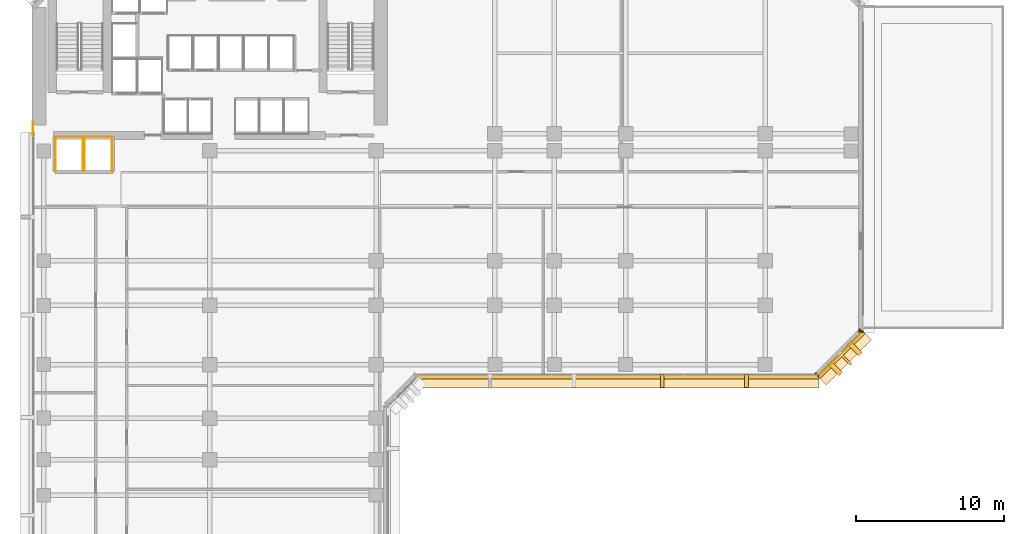
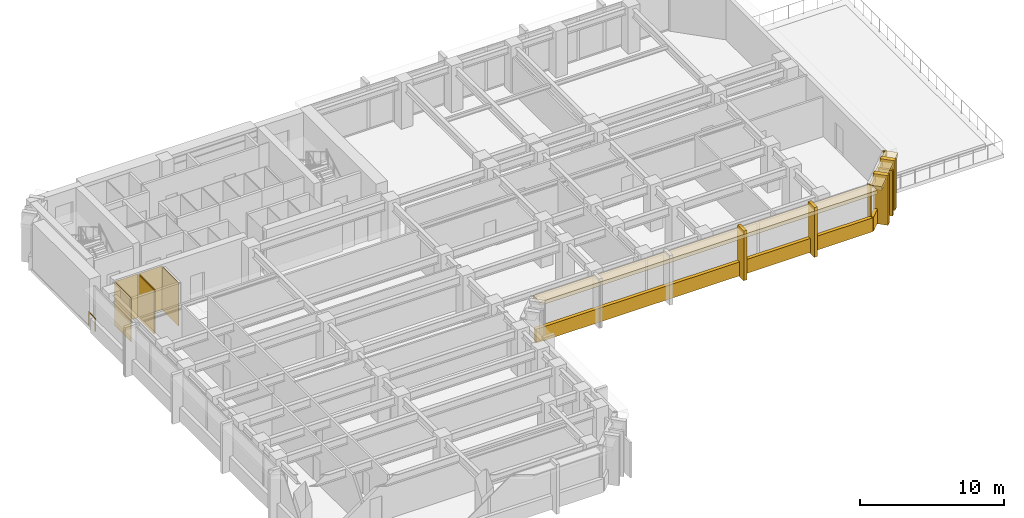
# One storey, part 10 of 13: 18 coverings, 1 railing, 1 shading device.
"""IFC4 building model written with IfcOpenShell, lengths in metres."""

import ifcopenshell
import ifcopenshell.guid

model = None  # the IFC model being written
_history = None  # IfcOwnerHistory: only IFC2X3 demands one
_inside = {}  # id of a spatial element -> (the spatial element, [elements in it])
_under = {}  # id of a project, library or spatial element -> (it, [spatial elements below it])
_declared = {}  # id of a project -> (the project, [libraries it declares])
_typed = {}  # id of a type object -> (the type object, [elements of that type])
_made_of = {}  # id of a material, layer set ... -> (it, [elements and type objects made of it])


def new_model(schema):
    """Start an empty IFC model of exactly this schema.

    Asked for "IFC4X3", IfcOpenShell would pick the latest addendum, in which some entities
    have other attributes; the version numbers below select the first issue.
    IFC2X3 requires an IfcOwnerHistory on every rooted entity: one is made here for all.
    """
    global model, _history
    if schema == "IFC4X3":
        model = ifcopenshell.file(schema_version=(4, 3, 0, 0))
    else:
        model = ifcopenshell.file(schema=schema)
    _inside.clear()
    _under.clear()
    _declared.clear()
    _typed.clear()
    _made_of.clear()
    _history = None
    if model.schema == "IFC2X3":
        org = make("IfcOrganization", Name="unknown")
        user = make(
            "IfcPersonAndOrganization",
            ThePerson=make("IfcPerson", FamilyName="unknown"),
            TheOrganization=org,
        )
        app = make(
            "IfcApplication",
            ApplicationDeveloper=org,
            Version="unknown",
            ApplicationFullName="unknown",
            ApplicationIdentifier="unknown",
        )
        _history = make(
            "IfcOwnerHistory",
            OwningUser=user,
            OwningApplication=app,
            ChangeAction="ADDED",
            CreationDate=0,
        )
    return model


def make(cls, **values):
    """One entity of the class cls with the attributes given. An attribute that is None is left unset."""
    return model.create_entity(
        cls, **{name: value for name, value in values.items() if value is not None}
    )


def rooted(cls, **values):
    """An entity with a GlobalId (a new one), such as an element, a storey or a relation."""
    return make(cls, GlobalId=ifcopenshell.guid.new(), OwnerHistory=_history, **values)


def si_unit(unit_type, name, prefix=None):
    """IfcSIUnit, for example si_unit("LENGTHUNIT", "METRE", prefix="MILLI")."""
    return make("IfcSIUnit", UnitType=unit_type, Prefix=prefix, Name=name)


def assignment(units):
    """IfcUnitAssignment: the units of a project."""
    return None if units is None else make("IfcUnitAssignment", Units=units)


def point(xyz):
    """IfcCartesianPoint."""
    return None if xyz is None else make("IfcCartesianPoint", Coordinates=xyz)


def direction(xyz):
    """IfcDirection."""
    return None if xyz is None else make("IfcDirection", DirectionRatios=xyz)


def frame(location, z_axis=None, x_axis=None):
    """IfcAxis2Placement3D, a coordinate frame: its origin and axes. An axis left out is left unset."""
    return make(
        "IfcAxis2Placement3D",
        Location=point(location),
        Axis=direction(z_axis),
        RefDirection=direction(x_axis),
    )


def frame_2d(location, x_axis=None):
    """IfcAxis2Placement2D, a coordinate frame in the plane: its origin and x axis."""
    return make(
        "IfcAxis2Placement2D", Location=point(location), RefDirection=direction(x_axis)
    )


def origin():
    """The frame at (0, 0, 0) with its axes left unset."""
    return frame((0.0, 0.0, 0.0))


def origin_2d():
    """The frame at (0, 0) in the plane with its x axis left unset."""
    return frame_2d((0.0, 0.0))


def place(relative_to, where):
    """IfcLocalPlacement: puts the frame where relative to a parent placement (None: the world)."""
    return make(
        "IfcLocalPlacement", PlacementRelTo=relative_to, RelativePlacement=where
    )


def context(
    kind, dimensions, precision=None, world=None, true_north=None, identifier=None
):
    """IfcGeometricRepresentationContext, for example the 3D "Model" context."""
    return make(
        "IfcGeometricRepresentationContext",
        ContextIdentifier=identifier,
        ContextType=kind,
        CoordinateSpaceDimension=dimensions,
        Precision=precision,
        WorldCoordinateSystem=world,
        TrueNorth=true_north,
    )


def subcontext(parent, identifier, kind, view, scale=None):
    """IfcGeometricRepresentationSubContext, for example "Body" below "Model"."""
    return make(
        "IfcGeometricRepresentationSubContext",
        ContextIdentifier=identifier,
        ContextType=kind,
        ParentContext=parent,
        TargetScale=scale,
        TargetView=view,
    )


def project(units=None, contexts=None):
    """IfcProject with its units and contexts."""
    return rooted(
        "IfcProject",
        Name="project",
        RepresentationContexts=contexts,
        UnitsInContext=assignment(units),
    )


def spatial(cls, under=None, at=None, **own):
    """A site, building, storey or space (cls), placed at a placement, below another one or the project."""
    s = rooted(cls, ObjectPlacement=at, **own)
    if under is not None:
        _under.setdefault(under.id(), (under, []))[1].append(s)
    return s


def polyline(points):
    """IfcPolyline through the points."""
    return make("IfcPolyline", Points=[point(p) for p in points])


def profile(cls, at=None, kind="AREA", **sizes):
    """A parametric profile (cls). Its sizes go by their IFC names, for example OverallWidth=200.0."""
    return make(cls, ProfileType=kind, Position=at, **sizes)


def rectangle(**sizes):
    """IfcRectangleProfileDef."""
    return profile("IfcRectangleProfileDef", **sizes)


def circle(**sizes):
    """IfcCircleProfileDef."""
    return profile("IfcCircleProfileDef", **sizes)


def outline(outer, holes=None, kind="AREA"):
    """IfcArbitraryClosedProfileDef: a profile drawn as a closed curve; with holes, ...WithVoids."""
    if holes is None:
        return make("IfcArbitraryClosedProfileDef", ProfileType=kind, OuterCurve=outer)
    return make(
        "IfcArbitraryProfileDefWithVoids",
        ProfileType=kind,
        OuterCurve=outer,
        InnerCurves=holes,
    )


def extrude(swept, where, along, depth):
    """IfcExtrudedAreaSolid: the profile swept, set in the frame where, extruded along a direction by depth."""
    return make(
        "IfcExtrudedAreaSolid",
        SweptArea=swept,
        Position=where,
        ExtrudedDirection=direction(along),
        Depth=depth,
    )


def shape(context_of_items, identifier, shape_type, items):
    """IfcShapeRepresentation: the items that make up one representation, for example the "Body"."""
    return make(
        "IfcShapeRepresentation",
        ContextOfItems=context_of_items,
        RepresentationIdentifier=identifier,
        RepresentationType=shape_type,
        Items=items,
    )


def material(Name=None, Category=None):
    """IfcMaterial."""
    return make("IfcMaterial", Name=Name, Category=Category)


def layer(
    of_material, thickness, ventilated=None, Name=None, Category=None, Priority=None
):
    """IfcMaterialLayer: one layer of a wall or slab, of a material (None: an air gap)."""
    return make(
        "IfcMaterialLayer",
        Material=of_material,
        LayerThickness=thickness,
        IsVentilated=ventilated,
        Name=Name,
        Category=Category,
        Priority=Priority,
    )


def layer_set(layers, Name=None):
    """IfcMaterialLayerSet."""
    return make("IfcMaterialLayerSet", MaterialLayers=layers, LayerSetName=Name)


def material_profile(
    of_material, cross_section, Name=None, Category=None, Priority=None
):
    """IfcMaterialProfile: a cross section and its material."""
    return make(
        "IfcMaterialProfile",
        Name=Name,
        Material=of_material,
        Profile=cross_section,
        Priority=Priority,
        Category=Category,
    )


def profile_set(profiles, Name=None, composite=None):
    """IfcMaterialProfileSet."""
    return make(
        "IfcMaterialProfileSet",
        Name=Name,
        MaterialProfiles=profiles,
        CompositeProfile=composite,
    )


def made_of(thing, what):
    """Note that an element or type object is made of a material, layer set ...; save() writes the relation."""
    if what is not None:
        _made_of.setdefault(what.id(), (what, []))[1].append(thing)
    return thing


def type_object(cls, material=None, **own):
    """A type object (cls), such as IfcWallType, which elements share."""
    return made_of(rooted(cls, **own), material)


def element(
    cls,
    number,
    at=None,
    inside=None,
    cuts=None,
    type_object=None,
    material=None,
    context=None,
    identifier="Body",
    shape_type=None,
    held_by="IfcProductDefinitionShape",
    body=None,
    shapes=None,
    **own,
):
    """One element of the class cls, such as IfcWall. Its Tag is "e" and its number.

    at: its placement. inside: the storey or other place that contains it. cuts: it is an
    opening in that element (IfcRelVoidsElement). A single representation is given by context,
    identifier, shape_type and body (its items); several are given by shapes. held_by: the class
    of the entity that holds the representations. save() writes the other relations.
    """
    e = rooted(cls, Tag="e%d" % number, ObjectPlacement=at, **own)
    if body is not None:
        shapes = [shape(context, identifier, shape_type, body)]
    if shapes is not None:
        e.Representation = make(held_by, Representations=shapes)
    if inside is not None:
        _inside.setdefault(inside.id(), (inside, []))[1].append(e)
    if cuts is not None:
        rooted(
            "IfcRelVoidsElement", RelatingBuildingElement=cuts, RelatedOpeningElement=e
        )
    if type_object is not None:
        _typed.setdefault(type_object.id(), (type_object, []))[1].append(e)
    return made_of(e, material)


def aggregate(whole, parts):
    """IfcRelAggregates: a whole, such as a stair, and the parts it consists of."""
    return rooted("IfcRelAggregates", RelatingObject=whole, RelatedObjects=parts)


def save(model, path):
    """Write the relations noted so far, then the file.

    IfcRelAggregates (storeys below a building ...), IfcRelContainedInSpatialStructure (elements
    in a storey), IfcRelDefinesByType, IfcRelAssociatesMaterial and IfcRelDeclares: one each for
    every whole, place, type object, material and project.
    """
    for whole, parts in _under.values():
        aggregate(whole, parts)
    for where, things in _inside.values():
        rooted(
            "IfcRelContainedInSpatialStructure",
            RelatedElements=things,
            RelatingStructure=where,
        )
    for kind, things in _typed.values():
        rooted("IfcRelDefinesByType", RelatedObjects=things, RelatingType=kind)
    for what, things in _made_of.values():
        rooted("IfcRelAssociatesMaterial", RelatedObjects=things, RelatingMaterial=what)
    for by, libraries in _declared.values():
        rooted("IfcRelDeclares", RelatingContext=by, RelatedDefinitions=libraries)
    model.write(path)


model = new_model("IFC4")

# Units and contexts
model_context = context("Model", 3, precision=1e-05, world=origin(), true_north=direction((0.0, 1.0)))
body_context = subcontext(model_context, "Body", "Model", "MODEL_VIEW")
ifc_project = project(units=[si_unit("LENGTHUNIT", "METRE"), si_unit("AREAUNIT", "SQUARE_METRE"), si_unit("VOLUMEUNIT", "CUBIC_METRE"), si_unit("PLANEANGLEUNIT", "RADIAN"), si_unit("MASSUNIT", "GRAM", prefix="KILO")], contexts=[model_context])

# Site, building, storey
site_placement = place(None, origin())
site = spatial("IfcSite", under=ifc_project, at=site_placement, CompositionType="ELEMENT")
building_placement = place(site_placement, origin())
building = spatial("IfcBuilding", under=site, at=building_placement, Name="Kefirva Bronze Tower", CompositionType="ELEMENT")
storey_placement = place(building_placement, frame((0.0, 0.0, 30.360107421875)))
storey = spatial("IfcBuildingStorey", under=building, at=storey_placement, Name="L06", CompositionType="ELEMENT", Elevation=30.360107421875)

# Coverings
ifc_material_1 = material(Name="Bronze anodised aluminium", Category="aluminium")
ifc_layer_1 = layer(ifc_material_1, 0.02001953125, Name="Bronze anodised aluminium")
ifc_layer_set_1 = layer_set([ifc_layer_1], Name="Bronze anodised aluminium")
covering_type_1 = type_object("IfcCoveringType", Name="Anodised Bronze Spandrel Cladding 20mm", PredefinedType="CLADDING", material=ifc_layer_set_1)
covering_1_placement = place(storey_placement, frame((39.5, 17.9599609375, -0.16015625), z_axis=(0.0, 0.0, 1.0), x_axis=(1.0, 0.0, 0.0)))
element("IfcCovering", 1, at=covering_1_placement, inside=storey, type_object=covering_type_1, Name="L06 Streamline Horizontal Spandrel Band 4", PredefinedType="CLADDING", context=body_context, shape_type="SweptSolid", body=[
    extrude(rectangle(XDim=27.0400390625, YDim=0.280029296875, at=origin_2d()), origin(), (0.0, 0.0, 1.0), 1.179931640625),
])
covering_2_placement = place(storey_placement, frame((54.507080078125, 19.492919921875, 3.2900390625), z_axis=(0.0, 0.0, 1.0), x_axis=(0.707106781187, 0.707106781187, 0.0)))
element("IfcCovering", 2, at=covering_2_placement, inside=storey, type_object=covering_type_1, Name="L06 Bronze Spandrel Cladding 4", PredefinedType="CLADDING", context=body_context, shape_type="SweptSolid", body=[
    extrude(rectangle(XDim=3.719482421875, YDim=0.02001953125, at=origin_2d()), origin(), (0.0, 0.0, 1.0), 0.39990234375),
])
for number, where, z_axis, x_axis, name in (
    (3, (52.91162109375, 18.137939453125, 0.0), (0.0, 0.0, 1.0), (0.707106781187, 0.707106781187, 0.0), "L06 Facade Joint Closure Panel 4S"),
    (4, (55.862060546875, 21.08837890625, 0.0), (0.0, 0.0, 1.0), (0.707106781187, 0.707106781187, 0.0), "L06 Facade Joint Closure Panel 4E"),
):
    element("IfcCovering", number, at=place(storey_placement, frame(where, z_axis=z_axis, x_axis=x_axis)), inside=storey, type_object=covering_type_1, Name=name, PredefinedType="CLADDING", context=body_context, shape_type="SweptSolid", body=[
        extrude(rectangle(XDim=0.10009765625, YDim=0.320068359375, at=origin_2d()), origin(), (0.0, 0.0, 1.0), 3.7099609375),
    ])
covering_3_placement = place(storey_placement, frame((54.5283203125, 19.4716796875, -0.16015625), z_axis=(0.0, 0.0, 1.0), x_axis=(0.707106781187, 0.707106781187, 0.0)))
element("IfcCovering", 5, at=covering_3_placement, inside=storey, type_object=covering_type_1, Name="L06 Streamline Horizontal Spandrel Band 5", PredefinedType="CLADDING", context=body_context, shape_type="SweptSolid", body=[
    extrude(rectangle(XDim=4.28271484375, YDim=0.280029296875, at=origin_2d()), origin(), (0.0, 0.0, 1.0), 1.179931640625),
])
covering_4_placement = place(storey_placement, frame((55.840087890625, 21.034912109375, 0.0), z_axis=(0.0, 0.0, 1.0), x_axis=(0.0, 1.0, 0.0)))
element("IfcCovering", 6, at=covering_4_placement, inside=storey, type_object=covering_type_1, Name="L06 Facade Joint Closure Panel 5S", PredefinedType="CLADDING", context=body_context, shape_type="SweptSolid", body=[
    extrude(rectangle(XDim=0.10009765625, YDim=0.320068359375, at=origin_2d()), origin(), (0.0, 0.0, 1.0), 3.7099609375),
])
covering_5_placement = place(storey_placement, origin())
element("IfcCovering", 7, at=covering_5_placement, inside=storey, type_object=covering_type_1, Name="L06 Lift OB1 Hoistway Liner N", PredefinedType="CLADDING", context=body_context, shape_type="SweptSolid", body=[
    extrude(outline(polyline([(1.580078125, 34.139892578125), (3.469970703125, 34.139892578125), (3.469970703125, 34.159912109375), (1.580078125, 34.159912109375), (1.580078125, 34.139892578125)])), origin(), (0.0, 0.0, 1.0), 3.7099609375),
])
covering_6_placement = place(storey_placement, origin())
element("IfcCovering", 8, at=covering_6_placement, inside=storey, type_object=covering_type_1, Name="L06 Lift OB1 Hoistway Liner W", PredefinedType="CLADDING", context=body_context, shape_type="SweptSolid", body=[
    extrude(outline(polyline([(1.590087890625, 31.830078125), (1.610107421875, 31.830078125), (1.610107421875, 34.169921875), (1.590087890625, 34.169921875), (1.590087890625, 31.830078125)])), origin(), (0.0, 0.0, 1.0), 3.7099609375),
])
covering_7_placement = place(storey_placement, origin())
element("IfcCovering", 9, at=covering_7_placement, inside=storey, type_object=covering_type_1, Name="L06 Lift OB1 Hoistway Liner E", PredefinedType="CLADDING", context=body_context, shape_type="SweptSolid", body=[
    extrude(outline(polyline([(3.43994140625, 31.830078125), (3.4599609375, 31.830078125), (3.4599609375, 34.169921875), (3.43994140625, 34.169921875), (3.43994140625, 31.830078125)])), origin(), (0.0, 0.0, 1.0), 3.7099609375),
])
covering_8_placement = place(storey_placement, origin())
element("IfcCovering", 10, at=covering_8_placement, inside=storey, type_object=covering_type_1, Name="L06 Lift OB2 Hoistway Liner N", PredefinedType="CLADDING", context=body_context, shape_type="SweptSolid", body=[
    extrude(outline(polyline([(3.530029296875, 34.139892578125), (5.419921875, 34.139892578125), (5.419921875, 34.159912109375), (3.530029296875, 34.159912109375), (3.530029296875, 34.139892578125)])), origin(), (0.0, 0.0, 1.0), 3.7099609375),
])
covering_9_placement = place(storey_placement, origin())
element("IfcCovering", 11, at=covering_9_placement, inside=storey, type_object=covering_type_1, Name="L06 Lift OB2 Hoistway Liner W", PredefinedType="CLADDING", context=body_context, shape_type="SweptSolid", body=[
    extrude(outline(polyline([(3.5400390625, 31.830078125), (3.56005859375, 31.830078125), (3.56005859375, 34.169921875), (3.5400390625, 34.169921875), (3.5400390625, 31.830078125)])), origin(), (0.0, 0.0, 1.0), 3.7099609375),
])
covering_10_placement = place(storey_placement, origin())
element("IfcCovering", 12, at=covering_10_placement, inside=storey, type_object=covering_type_1, Name="L06 Lift OB2 Hoistway Liner E", PredefinedType="CLADDING", context=body_context, shape_type="SweptSolid", body=[
    extrude(outline(polyline([(5.389892578125, 31.830078125), (5.409912109375, 31.830078125), (5.409912109375, 34.169921875), (5.389892578125, 34.169921875), (5.389892578125, 31.830078125)])), origin(), (0.0, 0.0, 1.0), 3.7099609375),
])

# Shading device
ifc_material_profile = material_profile(ifc_material_1, rectangle(XDim=0.179931640625, YDim=1.080078125, at=origin_2d()), Name="BRONZE BUTTRESS FIN 180x1080")
ifc_profile_set = profile_set([ifc_material_profile], Name="Bronze anodised aluminium")
shading_device_type = type_object("IfcShadingDeviceType", Name="Chamfered Corner Buttress Bronze Fin 1080mm", PredefinedType="USERDEFINED", material=ifc_profile_set)
shading_device_placement = place(storey_placement, frame((54.8251953125, 19.1748046875, -0.14013671875), z_axis=(0.0, 0.0, 1.0), x_axis=(0.707106781187, 0.707106781187, 0.0)))
element("IfcShadingDevice", 13, at=shading_device_placement, inside=storey, type_object=shading_device_type, Name="L06 Chamfered Corner Buttress Fin 14", ObjectType="VERTICAL FIN", PredefinedType="USERDEFINED", context=body_context, shape_type="SweptSolid", body=[
    extrude(rectangle(XDim=0.179931640625, YDim=1.080078125, at=origin_2d()), origin(), (0.0, 0.0, 1.0), 3.85009765625),
])

# Railing
ifc_material_2 = material(Name="Stainless steel 316", Category="steel")
railing_type = type_object("IfcRailingType", Name="Interior Stair Guardrail 1100mm", PredefinedType="GUARDRAIL", material=ifc_material_2)
railing_placement = place(storey_placement, frame((0.080078125, 34.199951171875, 0.0)))
element("IfcRailing", 14, at=railing_placement, inside=storey, type_object=railing_type, Name="L06 West Core Junction Guardrail", PredefinedType="GUARDRAIL", context=body_context, shape_type="SweptSolid", body=[
    extrude(circle(Radius=0.02392578125, at=origin_2d()), frame((0.0, 0.0, 1.076171875), z_axis=(0.0, 1.0, 0.0), x_axis=(-1.0, 0.0, 0.0)), (0.0, 0.0, 1.0), 0.949951171875),
    extrude(circle(Radius=0.02099609375, at=origin_2d()), origin(), (0.0, 0.0, 1.0), 1.052001953125),
    extrude(circle(Radius=0.02099609375, at=origin_2d()), frame((0.0, 0.949951171875, 0.0)), (0.0, 0.0, 1.0), 1.052001953125),
])

# Coverings
ifc_layer_2 = layer(ifc_material_1, 0.179931640625, Name="Bronze anodised aluminium")
ifc_layer_set_2 = layer_set([ifc_layer_2], Name="Bronze anodised aluminium")
covering_type_2 = type_object("IfcCoveringType", Name="Streamline Bronze Sunshade Eyebrow Cladding 180mm", PredefinedType="CLADDING", material=ifc_layer_set_2)
covering_11_placement = place(storey_placement, frame((39.5, 17.68994140625, 3.3896484375), z_axis=(0.0, 0.0, 1.0), x_axis=(1.0, 0.0, 0.0)))
element("IfcCovering", 15, at=covering_11_placement, inside=storey, type_object=covering_type_2, Name="L06 Streamline Bronze Sunshade Eyebrow 4", PredefinedType="CLADDING", context=body_context, shape_type="SweptSolid", body=[
    extrude(rectangle(XDim=27.080078125, YDim=0.93994140625, at=origin_2d()), origin(), (0.0, 0.0, 1.0), 0.320068359375),
])
covering_12_placement = place(storey_placement, frame((54.71923828125, 19.28076171875, 3.3896484375), z_axis=(0.0, 0.0, 1.0), x_axis=(0.707106781187, 0.707106781187, 0.0)))
element("IfcCovering", 16, at=covering_12_placement, inside=storey, type_object=covering_type_2, Name="L06 Streamline Bronze Sunshade Eyebrow 5", PredefinedType="CLADDING", context=body_context, shape_type="SweptSolid", body=[
    extrude(rectangle(XDim=4.322509765625, YDim=0.93994140625, at=origin_2d()), origin(), (0.0, 0.0, 1.0), 0.320068359375),
])
ifc_layer_3 = layer(ifc_material_1, 0.260009765625, Name="Bronze anodised aluminium")
ifc_layer_set_3 = layer_set([ifc_layer_3], Name="Bronze anodised aluminium")
covering_type_3 = type_object("IfcCoveringType", Name="Unbroken Bronze Buttress Fin Cladding 260mm", PredefinedType="CLADDING", material=ifc_layer_set_3)
for number, where, z_axis, x_axis, name in (
    (17, (42.469970703125, 17.699951171875, -0.25), (0.0, 0.0, 1.0), (1.0, 0.0, 0.0), "L06 Unbroken Vertical Bronze Rib Fin 11"),
    (18, (48.139892578125, 17.699951171875, -0.25), (0.0, 0.0, 1.0), (1.0, 0.0, 0.0), "L06 Unbroken Vertical Bronze Rib Fin 12"),
):
    element("IfcCovering", number, at=place(storey_placement, frame(where, z_axis=z_axis, x_axis=x_axis)), inside=storey, type_object=covering_type_3, Name=name, PredefinedType="CLADDING", context=body_context, shape_type="SweptSolid", body=[
        extrude(rectangle(XDim=0.260009765625, YDim=0.8798828125, at=origin_2d()), origin(), (0.0, 0.0, 1.0), 4.2099609375),
    ])
for number, where, z_axis, x_axis, name in (
    (19, (54.122802734375, 18.55712890625, -0.25), (0.0, 0.0, 1.0), (0.707106781187, 0.707106781187, 0.0), "L06 Chamfered Corner Buttress Fin Cladding 13"),
    (20, (55.44287109375, 19.877197265625, -0.25), (0.0, 0.0, 1.0), (0.707106781187, 0.707106781187, 0.0), "L06 Chamfered Corner Buttress Fin Cladding 14"),
):
    element("IfcCovering", number, at=place(storey_placement, frame(where, z_axis=z_axis, x_axis=x_axis)), inside=storey, type_object=covering_type_3, Name=name, PredefinedType="CLADDING", context=body_context, shape_type="SweptSolid", body=[
        extrude(rectangle(XDim=0.340087890625, YDim=1.080078125, at=origin_2d()), origin(), (0.0, 0.0, 1.0), 4.2099609375),
    ])

save(model, "model.ifc")
